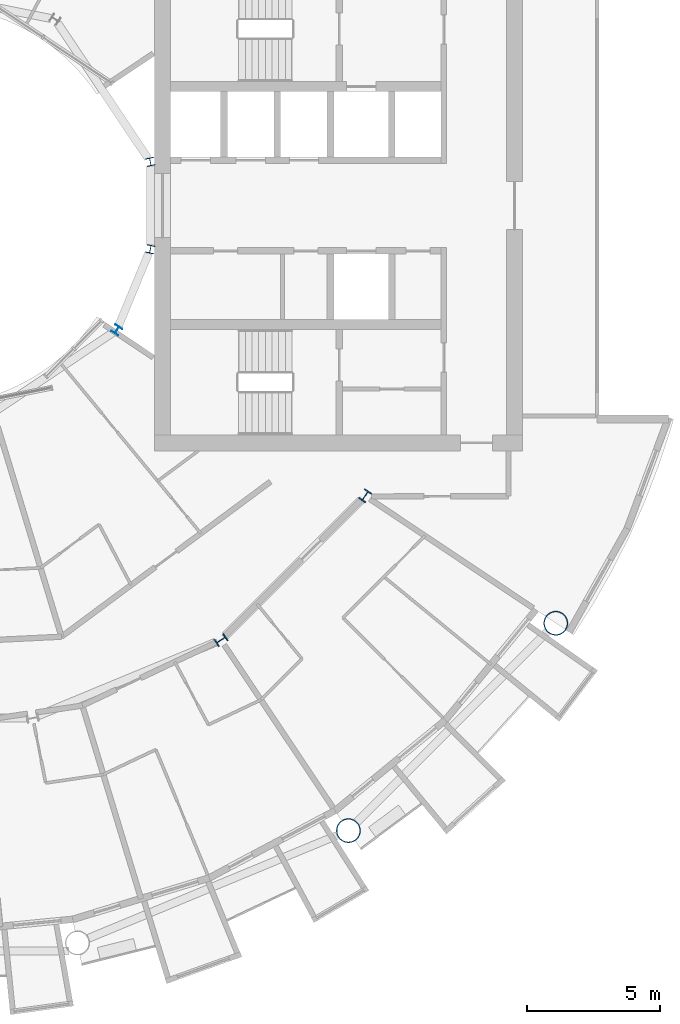
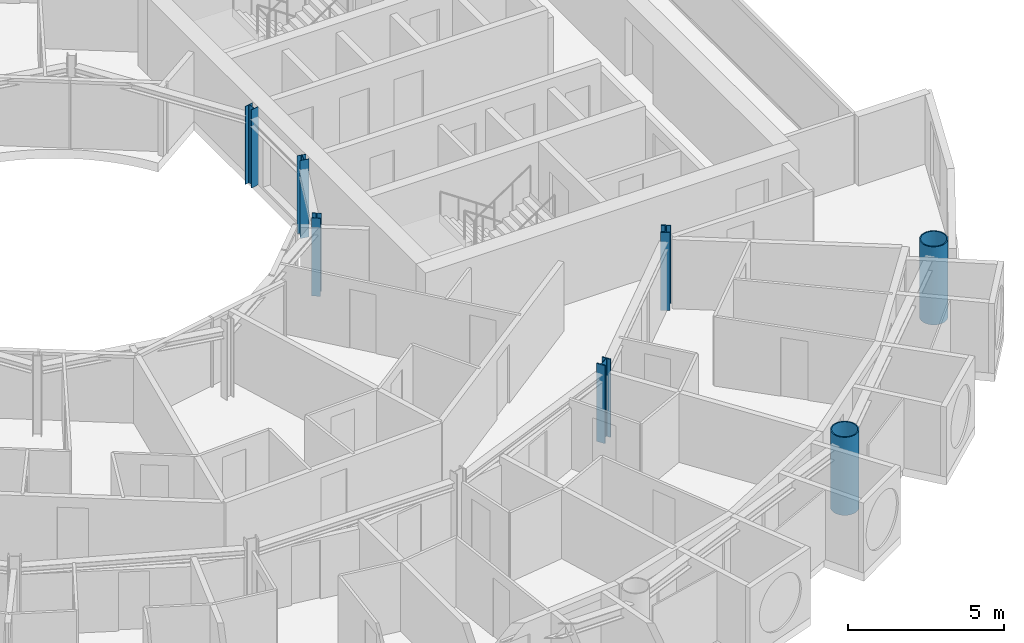
# One storey, part 2 of 27: 7 columns.
"""IFC4 building model written with IfcOpenShell, lengths in metres."""

from ifc_helpers import new_model, si_unit, direction, frame, origin, origin_2d, place, context, subcontext, project, spatial, hollow_circle, i_section, extrude, material, material_profile, profile_set, type_object, element, save


model = new_model("IFC4")

# Units and contexts
model_context = context("Model", 3, precision=1e-05, world=origin(), true_north=direction((0.0, 1.0)))
body_context = subcontext(model_context, "Body", "Model", "MODEL_VIEW")
ifc_project = project(units=[si_unit("LENGTHUNIT", "METRE"), si_unit("AREAUNIT", "SQUARE_METRE"), si_unit("VOLUMEUNIT", "CUBIC_METRE"), si_unit("PLANEANGLEUNIT", "RADIAN"), si_unit("MASSUNIT", "GRAM", prefix="KILO")], contexts=[model_context])

# Site, building, storey
site_placement = place(None, origin())
site = spatial("IfcSite", under=ifc_project, at=site_placement, CompositionType="ELEMENT")
building_placement = place(site_placement, origin())
building = spatial("IfcBuilding", under=site, at=building_placement, Name="Maasbend Ring Residences", CompositionType="ELEMENT")
storey_placement = place(building_placement, frame((0.0, 0.0, 126.89990234375)))
storey = spatial("IfcBuildingStorey", under=building, at=storey_placement, Name="L36", CompositionType="ELEMENT", Elevation=126.89990234375)

# Columns
ifc_material_1 = material(Name="Composite concrete-filled steel tube S460NH / C80/95", Category="concrete")
ifc_material_profile_1 = material_profile(ifc_material_1, hollow_circle(Radius=0.45703125, WallThickness=0.0400390625, at=origin_2d()), Name="Composite tube column CHS 914x40")
ifc_profile_set_1 = profile_set([ifc_material_profile_1], Name="Composite concrete-filled steel tube S460NH / C80/95")
column_type_1 = type_object("IfcColumnType", Name="Composite tube column CHS 914x40", PredefinedType="COLUMN", material=ifc_profile_set_1)
for number, where, z_axis, x_axis, name in (
    (1, (15.6669921875, -23.447509765625, 0.0), (0.0, 0.0, 1.0), (1.0, 0.0, 0.0), "Outer column R14"),
    (2, (23.447509765625, -15.6669921875, 0.0), (0.0, 0.0, 1.0), (1.0, 0.0, 0.0), "Outer column R15"),
):
    element("IfcColumn", number, at=place(storey_placement, frame(where, z_axis=z_axis, x_axis=x_axis)), inside=storey, type_object=column_type_1, Name=name, PredefinedType="COLUMN", context=body_context, shape_type="SweptSolid", body=[
        extrude(hollow_circle(Radius=0.45703125, WallThickness=0.0400390625, at=origin_2d()), origin(), (0.0, 0.0, 1.0), 3.050048828125),
    ])
ifc_material_2 = material(Name="Steel S355J2", Category="steel")
ifc_material_profile_2 = material_profile(ifc_material_2, i_section(OverallWidth=0.300048828125, OverallDepth=0.300048828125, WebThickness=0.010986328125, FlangeThickness=0.01904296875, FilletRadius=0.027099609375, at=origin_2d()), Name="HEB 300")
ifc_profile_set_2 = profile_set([ifc_material_profile_2], Name="Steel S355J2")
column_type_2 = type_object("IfcColumnType", Name="Steel column HEB 300", PredefinedType="COLUMN", material=ifc_profile_set_2)
for number, where, z_axis, x_axis, name in (
    (3, (8.238525390625, 1.638916015625, 0.0), (0.0, 0.0, 1.0), (0.980785280403, 0.195090322016, 0.0), "Well ring column R1"),
    (4, (6.984375, -4.666748046875, 0.0), (0.0, 0.0, 1.0), (0.831469612303, -0.55557023302, 0.0), "Well ring column R15"),
    (5, (8.238525390625, -1.638916015625, 0.0), (0.0, 0.0, 1.0), (0.980785280403, -0.195090322016, 0.0), "Well ring column R16"),
):
    element("IfcColumn", number, at=place(storey_placement, frame(where, z_axis=z_axis, x_axis=x_axis)), inside=storey, type_object=column_type_2, Name=name, PredefinedType="COLUMN", context=body_context, shape_type="SweptSolid", body=[
        extrude(i_section(OverallWidth=0.300048828125, OverallDepth=0.300048828125, WebThickness=0.010986328125, FlangeThickness=0.01904296875, FilletRadius=0.027099609375, at=origin_2d()), origin(), (0.0, 0.0, 1.0), 3.050048828125),
    ])
ifc_material_3 = material(Name="Steel S460M", Category="steel")
ifc_material_profile_3 = material_profile(ifc_material_3, i_section(OverallWidth=0.306884765625, OverallDepth=0.431884765625, WebThickness=0.02099609375, FlangeThickness=0.0400390625, FilletRadius=0.027099609375, at=origin_2d()), Name="HEM 400")
ifc_profile_set_3 = profile_set([ifc_material_profile_3], Name="Steel S460M")
column_type_3 = type_object("IfcColumnType", Name="Steel column HEM 400", PredefinedType="COLUMN", material=ifc_profile_set_3)
for number, where, z_axis, x_axis, name in (
    (6, (10.88916015625, -16.296875, 0.0), (0.0, 0.0, 1.0), (0.55557023302, -0.831469612303, 0.0), "Corridor ring column R14"),
    (7, (16.296875, -10.88916015625, 0.0), (0.0, 0.0, 1.0), (0.831469612303, -0.55557023302, 0.0), "Corridor ring column R15"),
):
    element("IfcColumn", number, at=place(storey_placement, frame(where, z_axis=z_axis, x_axis=x_axis)), inside=storey, type_object=column_type_3, Name=name, PredefinedType="COLUMN", context=body_context, shape_type="SweptSolid", body=[
        extrude(i_section(OverallWidth=0.306884765625, OverallDepth=0.431884765625, WebThickness=0.02099609375, FlangeThickness=0.0400390625, FilletRadius=0.027099609375, at=origin_2d()), origin(), (0.0, 0.0, 1.0), 3.050048828125),
    ])

save(model, "model.ifc")
